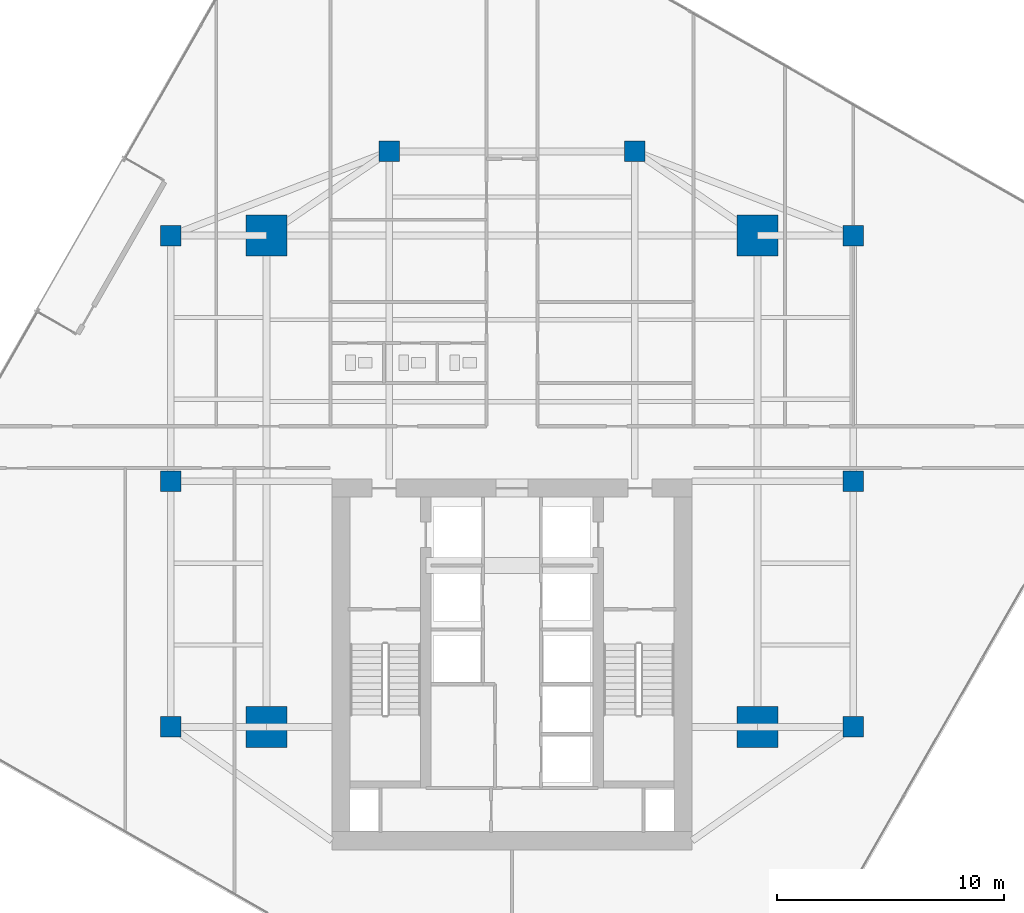
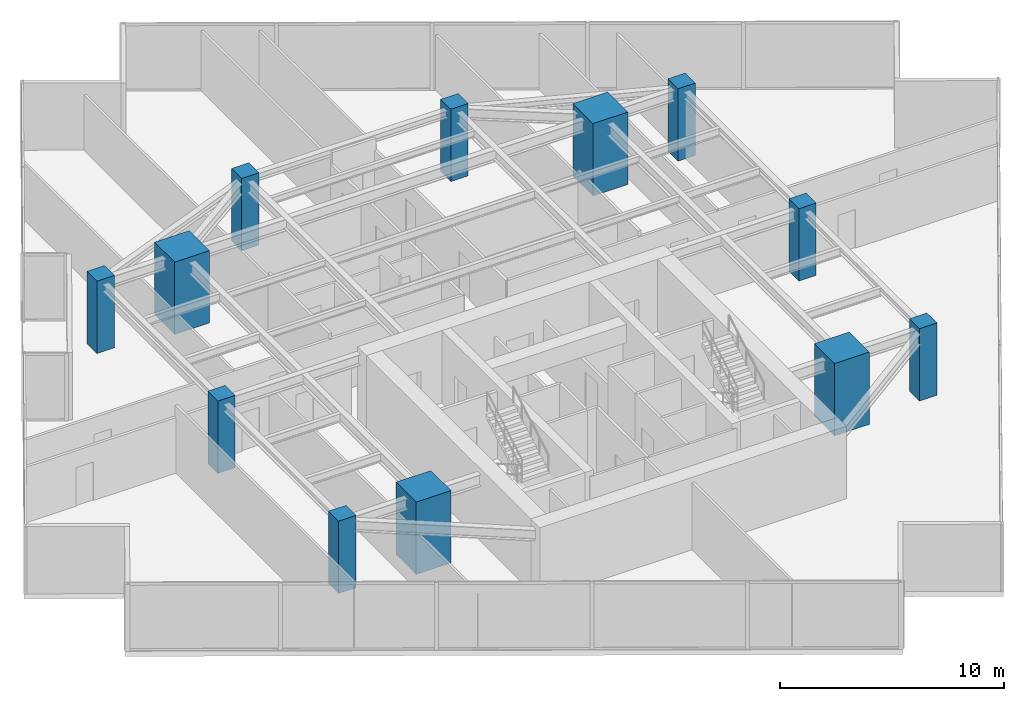
# One storey, part 1 of 24: 12 columns.
"""IFC4 building model written with IfcOpenShell, lengths in metres."""

from ifc_helpers import new_model, si_unit, direction, frame, origin, origin_2d, place, context, subcontext, project, spatial, rectangle, extrude, source, transform, mapped, material, material_profile, profile_set, type_object, type_shapes, element, save


model = new_model("IFC4")

# Units and contexts
model_context = context("Model", 3, precision=1e-05, world=origin(), true_north=direction((0.0, 1.0)))
body_context = subcontext(model_context, "Body", "Model", "MODEL_VIEW")
ifc_project = project(units=[si_unit("LENGTHUNIT", "METRE"), si_unit("AREAUNIT", "SQUARE_METRE"), si_unit("VOLUMEUNIT", "CUBIC_METRE"), si_unit("PLANEANGLEUNIT", "RADIAN"), si_unit("MASSUNIT", "GRAM", prefix="KILO")], contexts=[model_context])

# Site, building, storey
site_placement = place(None, origin())
site = spatial("IfcSite", under=ifc_project, at=site_placement, CompositionType="ELEMENT")
building_placement = place(site_placement, origin())
building = spatial("IfcBuilding", under=site, at=building_placement, Name="Krantzveldt Concourse Tower", CompositionType="ELEMENT")
storey_placement = place(building_placement, frame((0.0, 0.0, 165.949951171875)))
storey = spatial("IfcBuildingStorey", under=building, at=storey_placement, Name="L40", CompositionType="ELEMENT", Elevation=165.949951171875)

# Columns
ifc_material = material(Name="Concrete C50/60", Category="concrete")
ifc_material_profile_1 = material_profile(ifc_material, rectangle(XDim=1.800048828125, YDim=1.800048828125, at=origin_2d()), Name="Concrete C50/60", Category="concrete")
ifc_profile_set_1 = profile_set([ifc_material_profile_1], Name="Concrete C50/60 - RC 1800x1800")
column_type_1 = type_object("IfcColumnType", Name="COL-MC-1800", PredefinedType="USERDEFINED", material=ifc_profile_set_1)
shared_shape_1 = source(origin(), body_context, "Body", "SweptSolid", [
    extrude(rectangle(XDim=1.800048828125, YDim=1.800048828125, at=origin_2d()), origin(), (0.0, 0.0, 1.0), 3.949951171875),
])
type_shapes(column_type_1, [shared_shape_1])
for number, where, z_axis, x_axis, name in (
    (1, (25.199951171875, 15.89990234375, 0.0), (0.0, 0.0, 1.0), (1.0, 0.0, 0.0), "MC-SW-L40"),
    (2, (46.800048828125, 15.89990234375, 0.0), (0.0, 0.0, 1.0), (1.0, 0.0, 0.0), "MC-SE-L40"),
    (3, (46.800048828125, 37.5, 0.0), (0.0, 0.0, 1.0), (1.0, 0.0, 0.0), "MC-NE-L40"),
    (4, (25.199951171875, 37.5, 0.0), (0.0, 0.0, 1.0), (1.0, 0.0, 0.0), "MC-NW-L40"),
):
    element("IfcColumn", number, at=place(storey_placement, frame(where, z_axis=z_axis, x_axis=x_axis)), inside=storey, type_object=column_type_1, Name=name, ObjectType="MEGA COLUMN", PredefinedType="USERDEFINED", context=body_context, shape_type="MappedRepresentation", body=[
        mapped(shared_shape_1, transform((0.0, 0.0, 0.0), x_axis=(1.0, 0.0, 0.0), y_axis=(0.0, 1.0, 0.0), z_axis=(0.0, 0.0, 1.0), scale=1.0)),
    ])
ifc_material_profile_2 = material_profile(ifc_material, rectangle(XDim=0.89990234375, YDim=0.89990234375, at=origin_2d()), Name="Concrete C50/60", Category="concrete")
ifc_profile_set_2 = profile_set([ifc_material_profile_2], Name="Concrete C50/60 - RC 900x900")
column_type_2 = type_object("IfcColumnType", Name="COL-C-Z3", PredefinedType="COLUMN", material=ifc_profile_set_2)
shared_shape_2 = source(origin(), body_context, "Body", "SweptSolid", [
    extrude(rectangle(XDim=0.89990234375, YDim=0.89990234375, at=origin_2d()), origin(), (0.0, 0.0, 1.0), 3.949951171875),
])
type_shapes(column_type_2, [shared_shape_2])
for number, where, z_axis, x_axis, name in (
    (5, (21.0, 15.89990234375, 0.0), (0.0, 0.0, 1.0), (1.0, 0.0, 0.0), "PC-R01-L40"),
    (6, (21.0, 26.699951171875, 0.0), (0.0, 0.0, 1.0), (1.0, 0.0, 0.0), "PC-R02-L40"),
    (7, (21.0, 37.5, 0.0), (0.0, 0.0, 1.0), (1.0, 0.0, 0.0), "PC-R03-L40"),
    (8, (30.60009765625, 41.199951171875, 0.0), (0.0, 0.0, 1.0), (1.0, 0.0, 0.0), "PC-R04-L40"),
    (9, (41.39990234375, 41.199951171875, 0.0), (0.0, 0.0, 1.0), (1.0, 0.0, 0.0), "PC-R05-L40"),
    (10, (51.0, 37.5, 0.0), (0.0, 0.0, 1.0), (1.0, 0.0, 0.0), "PC-R06-L40"),
    (11, (51.0, 26.699951171875, 0.0), (0.0, 0.0, 1.0), (1.0, 0.0, 0.0), "PC-R07-L40"),
    (12, (51.0, 15.89990234375, 0.0), (0.0, 0.0, 1.0), (1.0, 0.0, 0.0), "PC-R08-L40"),
):
    element("IfcColumn", number, at=place(storey_placement, frame(where, z_axis=z_axis, x_axis=x_axis)), inside=storey, type_object=column_type_2, Name=name, PredefinedType="COLUMN", context=body_context, shape_type="MappedRepresentation", body=[
        mapped(shared_shape_2, transform((0.0, 0.0, 0.0), x_axis=(1.0, 0.0, 0.0), y_axis=(0.0, 1.0, 0.0), z_axis=(0.0, 0.0, 1.0), scale=1.0)),
    ])

save(model, "model.ifc")
